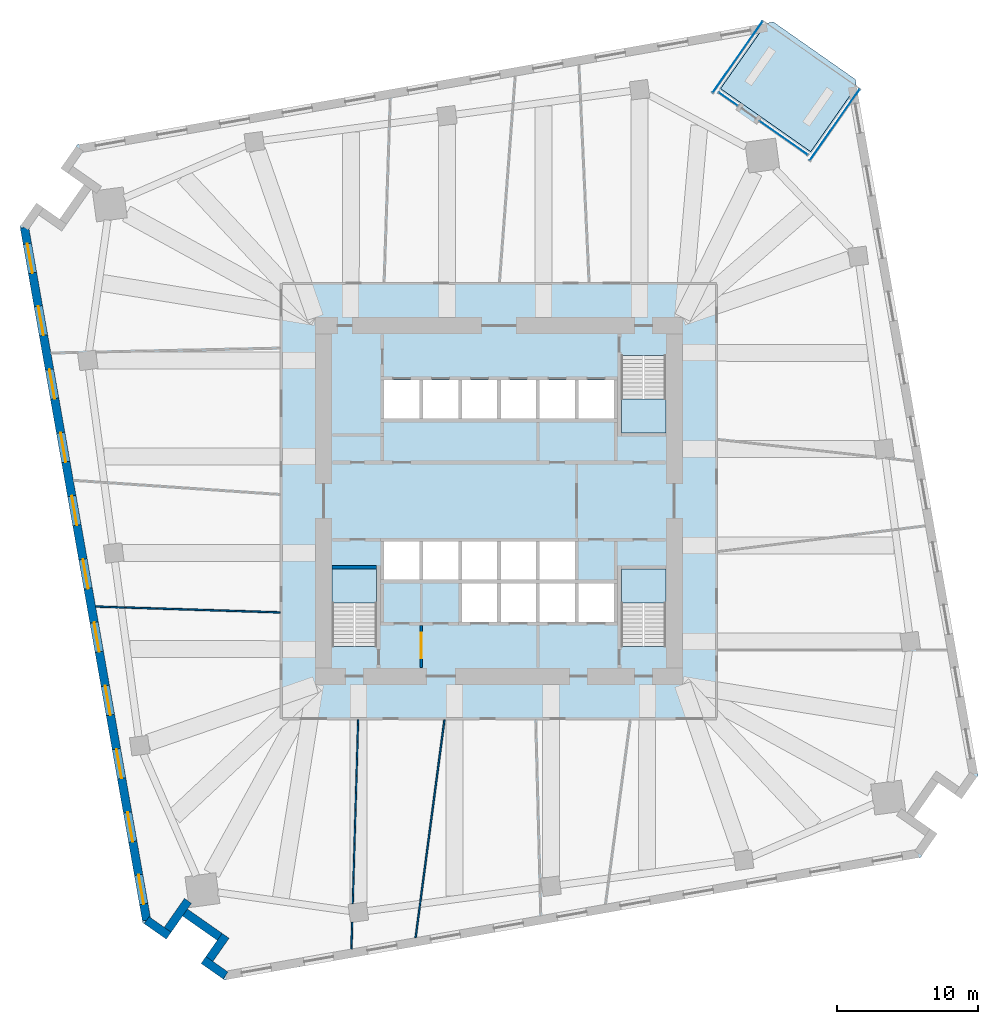
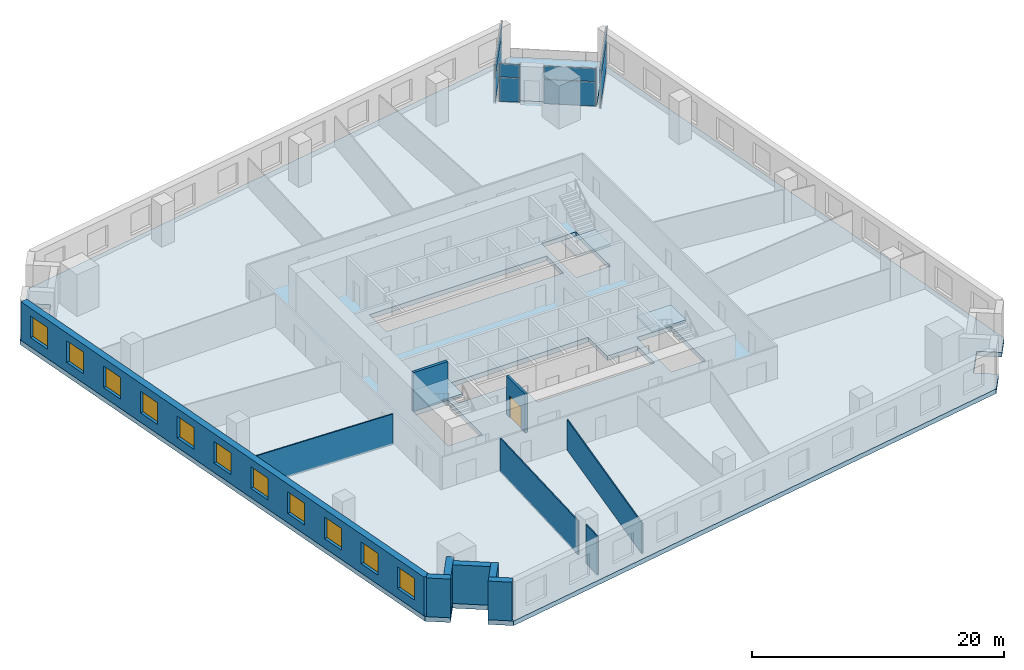
# One storey, part 3 of 10: 12 walls, 11 windows, 8 plates, 5 slabs, 1 door, 12 openings, 7 elements without a shape of their own.
"""IFC4 building model written with IfcOpenShell, lengths in metres."""

from ifc_helpers import new_model, si_unit, direction, frame, frame_2d, origin, origin_2d, place, context, subcontext, project, spatial, polyline, rectangle, outline, extrude, material, layer, layer_set, type_object, element, fill, aggregate, save


model = new_model("IFC4")

# Units and contexts
model_context = context("Model", 3, precision=1e-05, world=origin(), true_north=direction((0.0, 1.0)))
body_context = subcontext(model_context, "Body", "Model", "MODEL_VIEW")
ifc_project = project(units=[si_unit("LENGTHUNIT", "METRE"), si_unit("AREAUNIT", "SQUARE_METRE"), si_unit("VOLUMEUNIT", "CUBIC_METRE"), si_unit("PLANEANGLEUNIT", "RADIAN"), si_unit("MASSUNIT", "GRAM", prefix="KILO")], contexts=[model_context])

# Site, building, storey
site_placement = place(None, origin())
site = spatial("IfcSite", under=ifc_project, at=site_placement, CompositionType="ELEMENT")
building_placement = place(site_placement, origin())
building = spatial("IfcBuilding", under=site, at=building_placement, Name="Dilmun Exchange Tower", CompositionType="ELEMENT")
storey_placement = place(building_placement, frame((0.0, 0.0, 63.89990234375)))
storey = spatial("IfcBuildingStorey", under=building, at=storey_placement, Name="L14", CompositionType="ELEMENT", Elevation=63.89990234375)

# Stair, slab
ifc_material_1 = material(Name="Concrete C40/50", Category="concrete")
stair_type = type_object("IfcStairType", Name="Exit stair 1500 half-turn", PredefinedType="HALF_TURN_STAIR", material=ifc_material_1)
stair_1_placement = place(storey_placement, origin())
stair_1 = element("IfcStair", 1, at=stair_1_placement, inside=storey, type_object=stair_type, Name="L14 Protected exit stair ST1", PredefinedType="HALF_TURN_STAIR")
ifc_layer_1 = layer(ifc_material_1, 0.199951171875)
ifc_layer_set_1 = layer_set([ifc_layer_1], Name="Concrete C40/50")
slab_type_1 = type_object("IfcSlabType", Name="Exit stair landing 200", PredefinedType="LANDING", material=ifc_layer_set_1)
slab_1_placement = place(storey_placement, frame((0.0, 0.0, 1.900146484375)))
slab_1 = element("IfcSlab", 2, at=slab_1_placement, type_object=slab_type_1, Name="ST1 landing 1", PredefinedType="LANDING", context=body_context, shape_type="SweptSolid", body=[
    extrude(outline(polyline([(8.64990234375, 7.219970703125), (8.64990234375, 4.800048828125), (11.800048828125, 4.800048828125), (11.800048828125, 7.219970703125), (8.64990234375, 7.219970703125)])), origin(), (0.0, 0.0, 1.0), 0.199951171875),
])
aggregate(stair_1, [slab_1])

stair_2_placement = place(storey_placement, origin())
stair_2 = element("IfcStair", 3, at=stair_2_placement, inside=storey, type_object=stair_type, Name="L14 Protected exit stair ST2", PredefinedType="HALF_TURN_STAIR")
slab_2_placement = place(storey_placement, frame((0.0, 0.0, 1.900146484375)))
slab_2 = element("IfcSlab", 4, at=slab_2_placement, type_object=slab_type_1, Name="ST2 landing 1", PredefinedType="LANDING", context=body_context, shape_type="SweptSolid", body=[
    extrude(outline(polyline([(-8.64990234375, -7.219970703125), (-8.64990234375, -4.800048828125), (-11.800048828125, -4.800048828125), (-11.800048828125, -7.219970703125), (-8.64990234375, -7.219970703125)])), origin(), (0.0, 0.0, 1.0), 0.199951171875),
])
aggregate(stair_2, [slab_2])

stair_3_placement = place(storey_placement, origin())
stair_3 = element("IfcStair", 5, at=stair_3_placement, inside=storey, type_object=stair_type, Name="L14 Protected exit stair ST3", PredefinedType="HALF_TURN_STAIR")
slab_3_placement = place(storey_placement, frame((0.0, 0.0, 1.900146484375)))
slab_3 = element("IfcSlab", 6, at=slab_3_placement, type_object=slab_type_1, Name="ST3 landing 1", PredefinedType="LANDING", context=body_context, shape_type="SweptSolid", body=[
    extrude(outline(polyline([(11.800048828125, -7.219970703125), (11.800048828125, -4.800048828125), (8.64990234375, -4.800048828125), (8.64990234375, -7.219970703125), (11.800048828125, -7.219970703125)])), origin(), (0.0, 0.0, 1.0), 0.199951171875),
])
aggregate(stair_3, [slab_3])

# Curtain wall, plates
ifc_material_2 = material(Name="Anodised aluminium and clear glass", Category="aluminium")
curtain_wall_type = type_object("IfcCurtainWallType", Name="Garden corner glazing", PredefinedType="NOTDEFINED", material=ifc_material_2)
curtain_wall_1_placement = place(storey_placement, origin())
curtain_wall_1 = element("IfcCurtainWall", 7, at=curtain_wall_1_placement, inside=storey, type_object=curtain_wall_type, Name="Garden corner glazing run GC1.1", PredefinedType="NOTDEFINED")
ifc_material_3 = material(Name="Clear glass", Category="glass")
ifc_layer_2 = layer(ifc_material_3, 0.028076171875)
ifc_layer_set_2 = layer_set([ifc_layer_2], Name="Clear glass")
plate_type = type_object("IfcPlateType", Name="Garden corner glazing glass panel 28", PredefinedType="CURTAIN_PANEL", material=ifc_layer_set_2)
plate_1_placement = place(storey_placement, frame((23.744140625, 26.606689453125, 0.06005859375), z_axis=(0.0, 0.0, 1.0), x_axis=(-0.573574080405, -0.819153693935, 0.0)))
plate_1 = element("IfcPlate", 8, at=plate_1_placement, type_object=plate_type, Name="GC1.1 panel 1.1", PredefinedType="CURTAIN_PANEL", context=body_context, shape_type="SweptSolid", body=[
    extrude(rectangle(XDim=6.12646484375, YDim=0.028076171875, at=origin_2d()), origin(), (0.0, 0.0, 1.0), 2.31005859375),
])
plate_2_placement = place(storey_placement, frame((23.744140625, 26.606689453125, 2.43017578125), z_axis=(0.0, 0.0, 1.0), x_axis=(-0.573574080405, -0.819153693935, 0.0)))
plate_2 = element("IfcPlate", 9, at=plate_2_placement, type_object=plate_type, Name="GC1.1 panel 1.2", PredefinedType="CURTAIN_PANEL", context=body_context, shape_type="SweptSolid", body=[
    extrude(rectangle(XDim=6.12646484375, YDim=0.028076171875, at=origin_2d()), origin(), (0.0, 0.0, 1.0), 1.260009765625),
])
aggregate(curtain_wall_1, [plate_1, plate_2])

curtain_wall_2_placement = place(storey_placement, origin())
curtain_wall_2 = element("IfcCurtainWall", 10, at=curtain_wall_2_placement, inside=storey, type_object=curtain_wall_type, Name="Garden corner glazing run GC2.1", PredefinedType="NOTDEFINED")
plate_3_placement = place(storey_placement, frame((20.142822265625, 25.681884765625, 0.06005859375), z_axis=(0.0, 0.0, 1.0), x_axis=(-0.819152116967, 0.573576332556, 0.0)))
plate_3 = element("IfcPlate", 11, at=plate_3_placement, type_object=plate_type, Name="GC2.1 panel 1.1", PredefinedType="CURTAIN_PANEL", context=body_context, shape_type="SweptSolid", body=[
    extrude(rectangle(XDim=4.118896484375, YDim=0.028076171875, at=origin_2d()), origin(), (0.0, 0.0, 1.0), 2.31005859375),
])
plate_4_placement = place(storey_placement, frame((20.142822265625, 25.681884765625, 2.43017578125), z_axis=(0.0, 0.0, 1.0), x_axis=(-0.819152116967, 0.573576332556, 0.0)))
plate_4 = element("IfcPlate", 12, at=plate_4_placement, type_object=plate_type, Name="GC2.1 panel 1.2", PredefinedType="CURTAIN_PANEL", context=body_context, shape_type="SweptSolid", body=[
    extrude(rectangle(XDim=4.118896484375, YDim=0.028076171875, at=origin_2d()), origin(), (0.0, 0.0, 1.0), 1.260009765625),
])
aggregate(curtain_wall_2, [plate_3, plate_4])

curtain_wall_3_placement = place(storey_placement, origin())
curtain_wall_3 = element("IfcCurtainWall", 13, at=curtain_wall_3_placement, inside=storey, type_object=curtain_wall_type, Name="Garden corner glazing run GC2.3", PredefinedType="NOTDEFINED")
plate_5_placement = place(storey_placement, frame((16.219970703125, 28.428955078125, 0.06005859375), z_axis=(0.0, 0.0, 1.0), x_axis=(-0.81915627477, 0.573570394551, 0.0)))
plate_5 = element("IfcPlate", 14, at=plate_5_placement, type_object=plate_type, Name="GC2.3 panel 1.1", PredefinedType="CURTAIN_PANEL", context=body_context, shape_type="SweptSolid", body=[
    extrude(rectangle(XDim=1.619140625, YDim=0.028076171875, at=origin_2d()), origin(), (0.0, 0.0, 1.0), 2.31005859375),
])
plate_6_placement = place(storey_placement, frame((16.219970703125, 28.428955078125, 2.43017578125), z_axis=(0.0, 0.0, 1.0), x_axis=(-0.81915627477, 0.573570394551, 0.0)))
plate_6 = element("IfcPlate", 15, at=plate_6_placement, type_object=plate_type, Name="GC2.3 panel 1.2", PredefinedType="CURTAIN_PANEL", context=body_context, shape_type="SweptSolid", body=[
    extrude(rectangle(XDim=1.619140625, YDim=0.028076171875, at=origin_2d()), origin(), (0.0, 0.0, 1.0), 1.260009765625),
])
aggregate(curtain_wall_3, [plate_5, plate_6])

curtain_wall_4_placement = place(storey_placement, origin())
curtain_wall_4 = element("IfcCurtainWall", 16, at=curtain_wall_4_placement, inside=storey, type_object=curtain_wall_type, Name="Garden corner glazing run GC3.1", PredefinedType="NOTDEFINED")
plate_7_placement = place(storey_placement, frame((16.881103515625, 31.412353515625, 0.06005859375), z_axis=(0.0, 0.0, 1.0), x_axis=(0.573574080405, 0.819153693935, 0.0)))
plate_7 = element("IfcPlate", 17, at=plate_7_placement, type_object=plate_type, Name="GC3.1 panel 1.1", PredefinedType="CURTAIN_PANEL", context=body_context, shape_type="SweptSolid", body=[
    extrude(rectangle(XDim=6.12646484375, YDim=0.028076171875, at=origin_2d()), origin(), (0.0, 0.0, 1.0), 2.31005859375),
])
plate_8_placement = place(storey_placement, frame((16.881103515625, 31.412353515625, 2.43017578125), z_axis=(0.0, 0.0, 1.0), x_axis=(0.573574080405, 0.819153693935, 0.0)))
plate_8 = element("IfcPlate", 18, at=plate_8_placement, type_object=plate_type, Name="GC3.1 panel 1.2", PredefinedType="CURTAIN_PANEL", context=body_context, shape_type="SweptSolid", body=[
    extrude(rectangle(XDim=6.12646484375, YDim=0.028076171875, at=origin_2d()), origin(), (0.0, 0.0, 1.0), 1.260009765625),
])
aggregate(curtain_wall_4, [plate_7, plate_8])

# Slabs
ifc_layer_3 = layer(ifc_material_1, 0.449951171875)
ifc_layer_set_3 = layer_set([ifc_layer_3], Name="Concrete C40/50")
slab_type_2 = type_object("IfcSlabType", Name="RC floor slab 450", PredefinedType="FLOOR", material=ifc_layer_set_3)
slab_4_placement = place(storey_placement, frame((0.0, 0.0, -0.449951171875)))
element("IfcSlab", 19, at=slab_4_placement, inside=storey, type_object=slab_type_2, Name="Floor slab", PredefinedType="FLOOR", context=body_context, shape_type="SweptSolid", body=[
    extrude(outline(polyline([(32.718017578125, -21.078125), (31.07958984375, -19.930908203125), (29.35888671875, -22.388427734375), (30.997314453125, -23.53564453125), (29.82958984375, -25.202880859375), (-19.41064453125, -33.885498046875), (-21.078125, -32.718017578125), (-19.930908203125, -31.07958984375), (-22.388427734375, -29.35888671875), (-23.53564453125, -30.997314453125), (-25.202880859375, -29.82958984375), (-33.885498046875, 19.41064453125), (-32.718017578125, 21.078125), (-31.07958984375, 19.930908203125), (-29.35888671875, 22.388427734375), (-30.997314453125, 23.53564453125), (-29.82958984375, 25.202880859375), (18.918212890625, 33.798583984375), (15.6796875, 29.17333984375), (22.05126953125, 24.7119140625), (25.289794921875, 29.337158203125), (33.885498046875, -19.41064453125), (32.718017578125, -21.078125)]), holes=[polyline([(-8.64990234375, -4.800048828125), (-11.800048828125, -4.800048828125), (-11.800048828125, -10.294921875), (-8.64990234375, -10.294921875), (-8.64990234375, -4.800048828125)]), polyline([(11.800048828125, -4.800048828125), (8.64990234375, -4.800048828125), (8.64990234375, -10.294921875), (11.800048828125, -10.294921875), (11.800048828125, -4.800048828125)]), polyline([(-8.125, -2.85009765625), (-8.125, -5.550048828125), (-2.625, -5.550048828125), (-2.625, -8.550048828125), (8.125, -8.550048828125), (8.125, -5.85009765625), (5.375, -5.85009765625), (5.375, -2.85009765625), (-8.125, -2.85009765625)]), polyline([(-8.125, 5.85009765625), (8.125, 5.85009765625), (8.125, 8.550048828125), (-8.125, 8.550048828125), (-8.125, 5.85009765625)]), polyline([(8.64990234375, 10.294921875), (8.64990234375, 4.800048828125), (11.800048828125, 4.800048828125), (11.800048828125, 10.294921875), (8.64990234375, 10.294921875)])]), origin(), (0.0, 0.0, 1.0), 0.449951171875),
])
ifc_layer_4 = layer(ifc_material_1, 0.300048828125)
ifc_layer_set_4 = layer_set([ifc_layer_4], Name="Concrete C40/50")
slab_type_3 = type_object("IfcSlabType", Name="RC garden terrace slab 300", PredefinedType="FLOOR", material=ifc_layer_set_4)
slab_5_placement = place(storey_placement, frame((0.0, 0.0, -0.2998046875)))
element("IfcSlab", 20, at=slab_5_placement, inside=storey, type_object=slab_type_3, Name="Garden terrace slab", PredefinedType="FLOOR", context=body_context, shape_type="SweptSolid", body=[
    extrude(outline(polyline([(15.6796875, 29.17333984375), (18.918212890625, 33.798583984375), (19.41064453125, 33.885498046875), (25.202880859375, 29.82958984375), (25.289794921875, 29.337158203125), (22.05126953125, 24.7119140625), (15.6796875, 29.17333984375)])), origin(), (0.0, 0.0, 1.0), 0.2998046875),
])

# Wall, opening, door
ifc_layer_5 = layer(ifc_material_1, 0.199951171875)
ifc_layer_set_5 = layer_set([ifc_layer_5], Name="Concrete C40/50")
wall_type_1 = type_object("IfcWallType", Name="Core partition wall 200", PredefinedType="PARTITIONING", material=ifc_layer_set_5)
wall_1_placement = place(storey_placement, frame((-5.5, -11.794921875, 0.0), z_axis=(0.0, 0.0, 1.0), x_axis=(0.0, 1.0, 0.0)))
wall_1 = element("IfcWall", 21, at=wall_1_placement, inside=storey, type_object=wall_type_1, Name="L14 core partition wall 01", PredefinedType="PARTITIONING", context=body_context, shape_type="SweptSolid", body=[
    extrude(rectangle(XDim=2.989990234375, YDim=0.199951171875, at=frame_2d((1.4951171875, 0.0))), origin(), (0.0, 0.0, 1.0), 3.75),
])
opening_1_placement = place(wall_1_placement, frame((0.657470703125, 0.0, 0.0)))
opening_1 = element("IfcOpeningElement", 22, at=opening_1_placement, cuts=wall_1, Name="Opening CD5", PredefinedType="OPENING", context=body_context, shape_type="SweptSolid", body=[
    extrude(rectangle(XDim=1.800048828125, YDim=2.10009765625, at=frame_2d((0.89990234375, 1.050048828125))), frame((0.0, 0.10986328125, 0.0), z_axis=(0.0, -1.0, 0.0), x_axis=(1.0, 0.0, 0.0)), (0.0, 0.0, 1.0), 0.219970703125),
])
ifc_material_4 = material(Name="Fire-rated steel door set", Category="steel")
door_type = type_object("IfcDoorType", Name="Stair exit door 1800x2100", OperationType="SINGLE_SWING_LEFT", PredefinedType="DOOR", material=ifc_material_4)
door_placement = place(opening_1_placement, origin())
door = element("IfcDoor", 23, at=door_placement, inside=storey, type_object=door_type, Name="L14 door Service lobby east", OperationType="SINGLE_SWING_LEFT", OverallHeight=2.10009765625, OverallWidth=1.800048828125, PredefinedType="DOOR", context=body_context, shape_type="SweptSolid", body=[
    extrude(rectangle(XDim=1.800048828125, YDim=2.10009765625, at=frame_2d((0.89990234375, 1.050048828125))), frame((0.0, 0.02490234375, 0.0), z_axis=(0.0, -1.0, 0.0), x_axis=(1.0, 0.0, 0.0)), (0.0, 0.0, 1.0), 0.050048828125),
])
fill(opening_1, door)

# Walls
ifc_material_5 = material(Name="Partition 100")
ifc_layer_6 = layer(ifc_material_5, 0.10009765625)
ifc_layer_set_6 = layer_set([ifc_layer_6], Name="Partition 100")
wall_type_2 = type_object("IfcWallType", Name="Partition 100", PredefinedType="PARTITIONING", material=ifc_layer_set_6)
wall_2_placement = place(storey_placement, frame((-28.534912109375, -7.466552734375, 0.0), z_axis=(0.0, 0.0, 1.0), x_axis=(0.999495289336, -0.031767382577, 0.0)))
element("IfcWall", 24, at=wall_2_placement, inside=storey, type_object=wall_type_2, Name="Partition", PredefinedType="PARTITIONING", context=body_context, shape_type="SweptSolid", body=[
    extrude(rectangle(XDim=13.06494140625, YDim=0.10009765625, at=frame_2d((6.532470703125, 0.0))), origin(), (0.0, 0.0, 1.0), 2.9501953125),
])
wall_3_placement = place(storey_placement, frame((-10.43994140625, -31.6923828125, 0.0), z_axis=(0.0, 0.0, 1.0), x_axis=(0.02927344119, 0.999571440989, 0.0)))
element("IfcWall", 25, at=wall_3_placement, inside=storey, type_object=wall_type_2, Name="Partition", PredefinedType="PARTITIONING", context=body_context, shape_type="SweptSolid", body=[
    extrude(rectangle(XDim=1.884765625, YDim=0.10009765625, at=frame_2d((0.9423828125, 0.0))), origin(), (0.0, 0.0, 1.0), 3.75),
])
wall_4_placement = place(storey_placement, frame((-10.34619140625, -28.4912109375, 0.0), z_axis=(0.0, 0.0, 1.0), x_axis=(0.029345051756, 0.999569341235, 0.0)))
element("IfcWall", 26, at=wall_4_placement, inside=storey, type_object=wall_type_2, Name="Partition", PredefinedType="PARTITIONING", context=body_context, shape_type="SweptSolid", body=[
    extrude(rectangle(XDim=13.020263671875, YDim=0.10009765625, at=frame_2d((6.51025390625, 0.0))), origin(), (0.0, 0.0, 1.0), 3.25),
])
wall_5_placement = place(storey_placement, frame((-5.899169921875, -30.8916015625, 0.0), z_axis=(0.0, 0.0, 1.0), x_axis=(0.131193510247, 0.991356778798, 0.0)))
element("IfcWall", 27, at=wall_5_placement, inside=storey, type_object=wall_type_2, Name="Partition", PredefinedType="PARTITIONING", context=body_context, shape_type="SweptSolid", body=[
    extrude(rectangle(XDim=15.544189453125, YDim=0.10009765625, at=frame_2d((7.77197265625, 0.0))), origin(), (0.0, 0.0, 1.0), 2.9501953125),
])

# Wall, openings, windows
ifc_material_6 = material(Name="Precast concrete C50/60", Category="concrete")
ifc_layer_7 = layer(ifc_material_6, 0.60009765625)
ifc_layer_set_7 = layer_set([ifc_layer_7], Name="Precast concrete C50/60")
wall_type_3 = type_object("IfcWallType", Name="Precast stone-clad wall 600", PredefinedType="STANDARD", material=ifc_layer_set_7)
wall_6_placement = place(storey_placement, frame((-33.568359375, 19.340576171875, 0.0), z_axis=(0.0, 0.0, 1.0), x_axis=(0.173645642064, -0.984808200104, 0.0)))
wall_6 = element("IfcWall", 28, at=wall_6_placement, inside=storey, type_object=wall_type_3, Name="Facade wall L14-09", PredefinedType="STANDARD", context=body_context, shape_type="SweptSolid", body=[
    extrude(rectangle(XDim=49.751708984375, YDim=0.60009765625, at=frame_2d((24.8759765625, 0.0))), origin(), (0.0, 0.0, 1.0), 3.75),
])
opening_2_placement = place(wall_6_placement, frame((1.16064453125, 0.0, 0.89990234375)))
opening_2 = element("IfcOpeningElement", 29, at=opening_2_placement, cuts=wall_6, Name="Opening W210-210", PredefinedType="OPENING", context=body_context, shape_type="SweptSolid", body=[
    extrude(rectangle(XDim=2.10009765625, YDim=2.10009765625, at=frame_2d((1.050048828125, 1.050048828125))), frame((0.0, 0.31005859375, 0.0), z_axis=(0.0, -1.0, 0.0), x_axis=(1.0, 0.0, 0.0)), (0.0, 0.0, 1.0), 0.6201171875),
])
opening_3_placement = place(wall_6_placement, frame((5.643798828125, 0.0, 0.89990234375)))
opening_3 = element("IfcOpeningElement", 30, at=opening_3_placement, cuts=wall_6, Name="Opening W210-210", PredefinedType="OPENING", context=body_context, shape_type="SweptSolid", body=[
    extrude(rectangle(XDim=2.10009765625, YDim=2.10009765625, at=frame_2d((1.050048828125, 1.050048828125))), frame((0.0, 0.31005859375, 0.0), z_axis=(0.0, -1.0, 0.0), x_axis=(1.0, 0.0, 0.0)), (0.0, 0.0, 1.0), 0.6201171875),
])
opening_4_placement = place(wall_6_placement, frame((10.189453125, 0.0, 0.89990234375)))
opening_4 = element("IfcOpeningElement", 31, at=opening_4_placement, cuts=wall_6, Name="Opening W210-210", PredefinedType="OPENING", context=body_context, shape_type="SweptSolid", body=[
    extrude(rectangle(XDim=2.10009765625, YDim=2.10009765625, at=frame_2d((1.050048828125, 1.050048828125))), frame((0.0, 0.31005859375, 0.0), z_axis=(0.0, -1.0, 0.0), x_axis=(1.0, 0.0, 0.0)), (0.0, 0.0, 1.0), 0.6201171875),
])
opening_5_placement = place(wall_6_placement, frame((14.73486328125, 0.0, 0.89990234375)))
opening_5 = element("IfcOpeningElement", 32, at=opening_5_placement, cuts=wall_6, Name="Opening W210-210", PredefinedType="OPENING", context=body_context, shape_type="SweptSolid", body=[
    extrude(rectangle(XDim=2.10009765625, YDim=2.10009765625, at=frame_2d((1.050048828125, 1.050048828125))), frame((0.0, 0.31005859375, 0.0), z_axis=(0.0, -1.0, 0.0), x_axis=(1.0, 0.0, 0.0)), (0.0, 0.0, 1.0), 0.6201171875),
])
opening_6_placement = place(wall_6_placement, frame((19.2802734375, 0.0, 0.89990234375)))
opening_6 = element("IfcOpeningElement", 33, at=opening_6_placement, cuts=wall_6, Name="Opening W210-210", PredefinedType="OPENING", context=body_context, shape_type="SweptSolid", body=[
    extrude(rectangle(XDim=2.10009765625, YDim=2.10009765625, at=frame_2d((1.050048828125, 1.050048828125))), frame((0.0, 0.31005859375, 0.0), z_axis=(0.0, -1.0, 0.0), x_axis=(1.0, 0.0, 0.0)), (0.0, 0.0, 1.0), 0.6201171875),
])
opening_7_placement = place(wall_6_placement, frame((23.82568359375, 0.0, 0.89990234375)))
opening_7 = element("IfcOpeningElement", 34, at=opening_7_placement, cuts=wall_6, Name="Opening W210-210", PredefinedType="OPENING", context=body_context, shape_type="SweptSolid", body=[
    extrude(rectangle(XDim=2.10009765625, YDim=2.10009765625, at=frame_2d((1.050048828125, 1.050048828125))), frame((0.0, 0.31005859375, 0.0), z_axis=(0.0, -1.0, 0.0), x_axis=(1.0, 0.0, 0.0)), (0.0, 0.0, 1.0), 0.6201171875),
])
opening_8_placement = place(wall_6_placement, frame((28.37109375, 0.0, 0.89990234375)))
opening_8 = element("IfcOpeningElement", 35, at=opening_8_placement, cuts=wall_6, Name="Opening W210-210", PredefinedType="OPENING", context=body_context, shape_type="SweptSolid", body=[
    extrude(rectangle(XDim=2.10009765625, YDim=2.10009765625, at=frame_2d((1.050048828125, 1.050048828125))), frame((0.0, 0.31005859375, 0.0), z_axis=(0.0, -1.0, 0.0), x_axis=(1.0, 0.0, 0.0)), (0.0, 0.0, 1.0), 0.6201171875),
])
opening_9_placement = place(wall_6_placement, frame((32.91650390625, 0.0, 0.89990234375)))
opening_9 = element("IfcOpeningElement", 36, at=opening_9_placement, cuts=wall_6, Name="Opening W210-210", PredefinedType="OPENING", context=body_context, shape_type="SweptSolid", body=[
    extrude(rectangle(XDim=2.10009765625, YDim=2.10009765625, at=frame_2d((1.050048828125, 1.050048828125))), frame((0.0, 0.31005859375, 0.0), z_axis=(0.0, -1.0, 0.0), x_axis=(1.0, 0.0, 0.0)), (0.0, 0.0, 1.0), 0.6201171875),
])
opening_10_placement = place(wall_6_placement, frame((37.462158203125, 0.0, 0.89990234375)))
opening_10 = element("IfcOpeningElement", 37, at=opening_10_placement, cuts=wall_6, Name="Opening W210-210", PredefinedType="OPENING", context=body_context, shape_type="SweptSolid", body=[
    extrude(rectangle(XDim=2.10009765625, YDim=2.10009765625, at=frame_2d((1.050048828125, 1.050048828125))), frame((0.0, 0.31005859375, 0.0), z_axis=(0.0, -1.0, 0.0), x_axis=(1.0, 0.0, 0.0)), (0.0, 0.0, 1.0), 0.6201171875),
])
opening_11_placement = place(wall_6_placement, frame((42.007568359375, 0.0, 0.89990234375)))
opening_11 = element("IfcOpeningElement", 38, at=opening_11_placement, cuts=wall_6, Name="Opening W210-210", PredefinedType="OPENING", context=body_context, shape_type="SweptSolid", body=[
    extrude(rectangle(XDim=2.10009765625, YDim=2.10009765625, at=frame_2d((1.050048828125, 1.050048828125))), frame((0.0, 0.31005859375, 0.0), z_axis=(0.0, -1.0, 0.0), x_axis=(1.0, 0.0, 0.0)), (0.0, 0.0, 1.0), 0.6201171875),
])
opening_12_placement = place(wall_6_placement, frame((46.490966796875, 0.0, 0.89990234375)))
opening_12 = element("IfcOpeningElement", 39, at=opening_12_placement, cuts=wall_6, Name="Opening W210-210", PredefinedType="OPENING", context=body_context, shape_type="SweptSolid", body=[
    extrude(rectangle(XDim=2.10009765625, YDim=2.10009765625, at=frame_2d((1.050048828125, 1.050048828125))), frame((0.0, 0.31005859375, 0.0), z_axis=(0.0, -1.0, 0.0), x_axis=(1.0, 0.0, 0.0)), (0.0, 0.0, 1.0), 0.6201171875),
])
ifc_material_7 = material(Name="Clear low-emissivity glass in aluminium frame", Category="aluminium")
window_type = type_object("IfcWindowType", Name="Punched window 2100 x 2100", PartitioningType="DOUBLE_PANEL_VERTICAL", PredefinedType="WINDOW", material=ifc_material_7)
window_1_placement = place(opening_2_placement, origin())
window_1 = element("IfcWindow", 40, at=window_1_placement, inside=storey, type_object=window_type, Name="Window 10.1", OverallHeight=2.10009765625, OverallWidth=2.10009765625, PartitioningType="SINGLE_PANEL", PredefinedType="WINDOW", context=body_context, shape_type="SweptSolid", body=[
    extrude(rectangle(XDim=2.10009765625, YDim=2.10009765625, at=frame_2d((1.050048828125, 1.050048828125))), frame((0.0, 0.030029296875, 0.0), z_axis=(0.0, -1.0, 0.0), x_axis=(1.0, 0.0, 0.0)), (0.0, 0.0, 1.0), 0.06005859375),
])
fill(opening_2, window_1)
window_2_placement = place(opening_3_placement, origin())
window_2 = element("IfcWindow", 41, at=window_2_placement, inside=storey, type_object=window_type, Name="Window 10.2", OverallHeight=2.10009765625, OverallWidth=2.10009765625, PartitioningType="SINGLE_PANEL", PredefinedType="WINDOW", context=body_context, shape_type="SweptSolid", body=[
    extrude(rectangle(XDim=2.10009765625, YDim=2.10009765625, at=frame_2d((1.050048828125, 1.050048828125))), frame((0.0, 0.030029296875, 0.0), z_axis=(0.0, -1.0, 0.0), x_axis=(1.0, 0.0, 0.0)), (0.0, 0.0, 1.0), 0.06005859375),
])
fill(opening_3, window_2)
window_3_placement = place(opening_4_placement, origin())
window_3 = element("IfcWindow", 42, at=window_3_placement, inside=storey, type_object=window_type, Name="Window 10.3", OverallHeight=2.10009765625, OverallWidth=2.10009765625, PartitioningType="SINGLE_PANEL", PredefinedType="WINDOW", context=body_context, shape_type="SweptSolid", body=[
    extrude(rectangle(XDim=2.10009765625, YDim=2.10009765625, at=frame_2d((1.050048828125, 1.050048828125))), frame((0.0, 0.030029296875, 0.0), z_axis=(0.0, -1.0, 0.0), x_axis=(1.0, 0.0, 0.0)), (0.0, 0.0, 1.0), 0.06005859375),
])
fill(opening_4, window_3)
window_4_placement = place(opening_5_placement, origin())
window_4 = element("IfcWindow", 43, at=window_4_placement, inside=storey, type_object=window_type, Name="Window 10.4", OverallHeight=2.10009765625, OverallWidth=2.10009765625, PartitioningType="SINGLE_PANEL", PredefinedType="WINDOW", context=body_context, shape_type="SweptSolid", body=[
    extrude(rectangle(XDim=2.10009765625, YDim=2.10009765625, at=frame_2d((1.050048828125, 1.050048828125))), frame((0.0, 0.030029296875, 0.0), z_axis=(0.0, -1.0, 0.0), x_axis=(1.0, 0.0, 0.0)), (0.0, 0.0, 1.0), 0.06005859375),
])
fill(opening_5, window_4)
window_5_placement = place(opening_6_placement, origin())
window_5 = element("IfcWindow", 44, at=window_5_placement, inside=storey, type_object=window_type, Name="Window 10.5", OverallHeight=2.10009765625, OverallWidth=2.10009765625, PartitioningType="SINGLE_PANEL", PredefinedType="WINDOW", context=body_context, shape_type="SweptSolid", body=[
    extrude(rectangle(XDim=2.10009765625, YDim=2.10009765625, at=frame_2d((1.050048828125, 1.050048828125))), frame((0.0, 0.030029296875, 0.0), z_axis=(0.0, -1.0, 0.0), x_axis=(1.0, 0.0, 0.0)), (0.0, 0.0, 1.0), 0.06005859375),
])
fill(opening_6, window_5)
window_6_placement = place(opening_7_placement, origin())
window_6 = element("IfcWindow", 45, at=window_6_placement, inside=storey, type_object=window_type, Name="Window 10.6", OverallHeight=2.10009765625, OverallWidth=2.10009765625, PartitioningType="SINGLE_PANEL", PredefinedType="WINDOW", context=body_context, shape_type="SweptSolid", body=[
    extrude(rectangle(XDim=2.10009765625, YDim=2.10009765625, at=frame_2d((1.050048828125, 1.050048828125))), frame((0.0, 0.030029296875, 0.0), z_axis=(0.0, -1.0, 0.0), x_axis=(1.0, 0.0, 0.0)), (0.0, 0.0, 1.0), 0.06005859375),
])
fill(opening_7, window_6)
window_7_placement = place(opening_8_placement, origin())
window_7 = element("IfcWindow", 46, at=window_7_placement, inside=storey, type_object=window_type, Name="Window 10.7", OverallHeight=2.10009765625, OverallWidth=2.10009765625, PartitioningType="SINGLE_PANEL", PredefinedType="WINDOW", context=body_context, shape_type="SweptSolid", body=[
    extrude(rectangle(XDim=2.10009765625, YDim=2.10009765625, at=frame_2d((1.050048828125, 1.050048828125))), frame((0.0, 0.030029296875, 0.0), z_axis=(0.0, -1.0, 0.0), x_axis=(1.0, 0.0, 0.0)), (0.0, 0.0, 1.0), 0.06005859375),
])
fill(opening_8, window_7)
window_8_placement = place(opening_9_placement, origin())
window_8 = element("IfcWindow", 47, at=window_8_placement, inside=storey, type_object=window_type, Name="Window 10.8", OverallHeight=2.10009765625, OverallWidth=2.10009765625, PartitioningType="SINGLE_PANEL", PredefinedType="WINDOW", context=body_context, shape_type="SweptSolid", body=[
    extrude(rectangle(XDim=2.10009765625, YDim=2.10009765625, at=frame_2d((1.050048828125, 1.050048828125))), frame((0.0, 0.030029296875, 0.0), z_axis=(0.0, -1.0, 0.0), x_axis=(1.0, 0.0, 0.0)), (0.0, 0.0, 1.0), 0.06005859375),
])
fill(opening_9, window_8)
window_9_placement = place(opening_10_placement, origin())
window_9 = element("IfcWindow", 48, at=window_9_placement, inside=storey, type_object=window_type, Name="Window 10.9", OverallHeight=2.10009765625, OverallWidth=2.10009765625, PartitioningType="SINGLE_PANEL", PredefinedType="WINDOW", context=body_context, shape_type="SweptSolid", body=[
    extrude(rectangle(XDim=2.10009765625, YDim=2.10009765625, at=frame_2d((1.050048828125, 1.050048828125))), frame((0.0, 0.030029296875, 0.0), z_axis=(0.0, -1.0, 0.0), x_axis=(1.0, 0.0, 0.0)), (0.0, 0.0, 1.0), 0.06005859375),
])
fill(opening_10, window_9)
window_10_placement = place(opening_11_placement, origin())
window_10 = element("IfcWindow", 49, at=window_10_placement, inside=storey, type_object=window_type, Name="Window 10.10", OverallHeight=2.10009765625, OverallWidth=2.10009765625, PartitioningType="SINGLE_PANEL", PredefinedType="WINDOW", context=body_context, shape_type="SweptSolid", body=[
    extrude(rectangle(XDim=2.10009765625, YDim=2.10009765625, at=frame_2d((1.050048828125, 1.050048828125))), frame((0.0, 0.030029296875, 0.0), z_axis=(0.0, -1.0, 0.0), x_axis=(1.0, 0.0, 0.0)), (0.0, 0.0, 1.0), 0.06005859375),
])
fill(opening_11, window_10)
window_11_placement = place(opening_12_placement, origin())
window_11 = element("IfcWindow", 50, at=window_11_placement, inside=storey, type_object=window_type, Name="Window 10.11", OverallHeight=2.10009765625, OverallWidth=2.10009765625, PartitioningType="SINGLE_PANEL", PredefinedType="WINDOW", context=body_context, shape_type="SweptSolid", body=[
    extrude(rectangle(XDim=2.10009765625, YDim=2.10009765625, at=frame_2d((1.050048828125, 1.050048828125))), frame((0.0, 0.030029296875, 0.0), z_axis=(0.0, -1.0, 0.0), x_axis=(1.0, 0.0, 0.0)), (0.0, 0.0, 1.0), 0.06005859375),
])
fill(opening_12, window_11)

# Walls
wall_7_placement = place(storey_placement, frame((-24.92919921875, -29.6552734375, 0.0), z_axis=(0.0, 0.0, 1.0), x_axis=(0.819177907247, -0.573539498447, 0.0)))
element("IfcWall", 51, at=wall_7_placement, inside=storey, type_object=wall_type_3, Name="Facade wall L14-10", PredefinedType="STANDARD", context=body_context, shape_type="SweptSolid", body=[
    extrude(rectangle(XDim=1.911376953125, YDim=0.60009765625, at=frame_2d((0.95556640625, 0.0))), origin(), (0.0, 0.0, 1.0), 3.75),
])
wall_8_placement = place(storey_placement, frame((-23.437255859375, -30.33349609375, 0.0), z_axis=(0.0, 0.0, 1.0), x_axis=(0.573586940727, 0.819144688946, 0.0)))
element("IfcWall", 52, at=wall_8_placement, inside=storey, type_object=wall_type_3, Name="Facade wall L14-11", PredefinedType="STANDARD", context=body_context, shape_type="SweptSolid", body=[
    extrude(rectangle(XDim=2.49853515625, YDim=0.60009765625, at=frame_2d((1.249267578125, 0.0))), origin(), (0.0, 0.0, 1.0), 3.75),
])
wall_9_placement = place(storey_placement, frame((-22.21630859375, -29.113037109375, 0.0), z_axis=(0.0, 0.0, 1.0), x_axis=(0.819124862085, -0.573615254604, 0.0)))
element("IfcWall", 53, at=wall_9_placement, inside=storey, type_object=wall_type_3, Name="Facade wall L14-12", PredefinedType="STANDARD", context=body_context, shape_type="SweptSolid", body=[
    extrude(rectangle(XDim=3.000244140625, YDim=0.60009765625, at=frame_2d((1.5, 0.0))), origin(), (0.0, 0.0, 1.0), 3.75),
])
wall_10_placement = place(storey_placement, frame((-19.341064453125, -30.76025390625, 0.0), z_axis=(0.0, 0.0, 1.0), x_axis=(-0.573626190743, -0.819117203636, 0.0)))
element("IfcWall", 54, at=wall_10_placement, inside=storey, type_object=wall_type_3, Name="Facade wall L14-13", PredefinedType="STANDARD", context=body_context, shape_type="SweptSolid", body=[
    extrude(rectangle(XDim=2.0, YDim=0.60009765625, at=frame_2d((1.0, 0.0))), origin(), (0.0, 0.0, 1.0), 3.75),
])
wall_11_placement = place(storey_placement, frame((-20.906005859375, -32.47216796875, 0.0), z_axis=(0.0, 0.0, 1.0), x_axis=(0.81913588185, -0.573599518014, 0.0)))
element("IfcWall", 55, at=wall_11_placement, inside=storey, type_object=wall_type_3, Name="Facade wall L14-14", PredefinedType="STANDARD", context=body_context, shape_type="SweptSolid", body=[
    extrude(rectangle(XDim=1.9111328125, YDim=0.60009765625, at=frame_2d((0.95556640625, 0.0))), origin(), (0.0, 0.0, 1.0), 3.75),
])
ifc_layer_8 = layer(ifc_material_1, 0.25)
ifc_layer_set_8 = layer_set([ifc_layer_8], Name="Concrete C40/50")
wall_type_4 = type_object("IfcWallType", Name="Stair end wall 250", PredefinedType="SOLIDWALL", material=ifc_layer_set_8)
wall_12_placement = place(storey_placement, frame((-8.64990234375, -4.675048828125, 0.0), z_axis=(0.0, 0.0, 1.0), x_axis=(-1.0, 0.0, 0.0)))
element("IfcWall", 56, at=wall_12_placement, inside=storey, type_object=wall_type_4, Name="L14 ST2 far wall", PredefinedType="SOLIDWALL", context=body_context, shape_type="SweptSolid", body=[
    extrude(rectangle(XDim=3.150146484375, YDim=0.25, at=frame_2d((1.5751953125, 0.0))), origin(), (0.0, 0.0, 1.0), 3.75),
])

save(model, "model.ifc")
